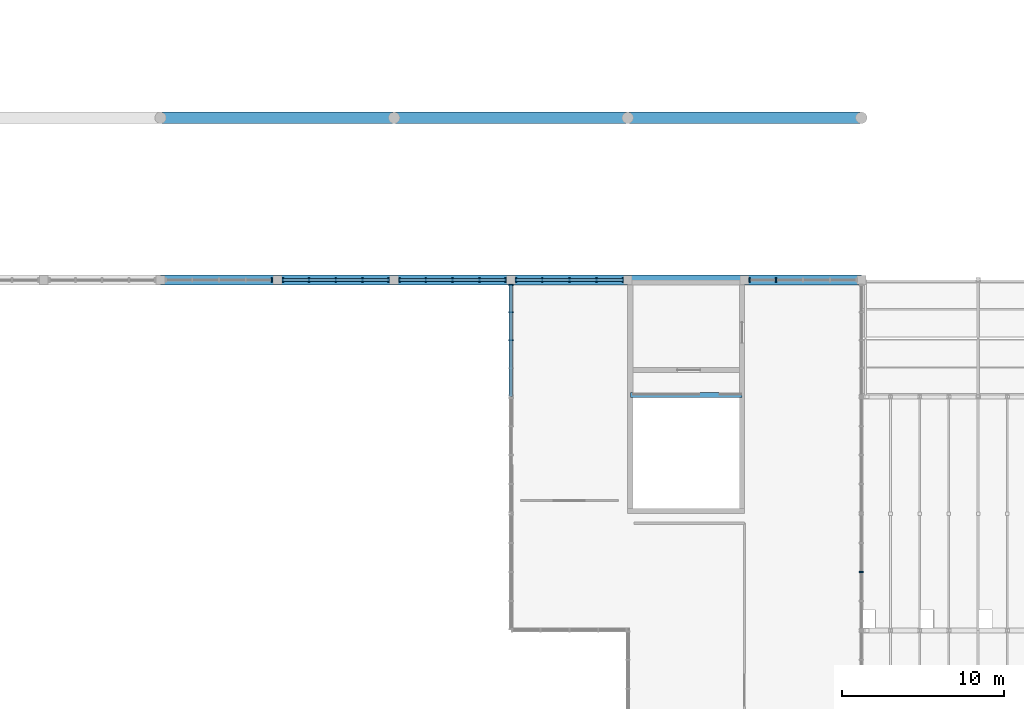
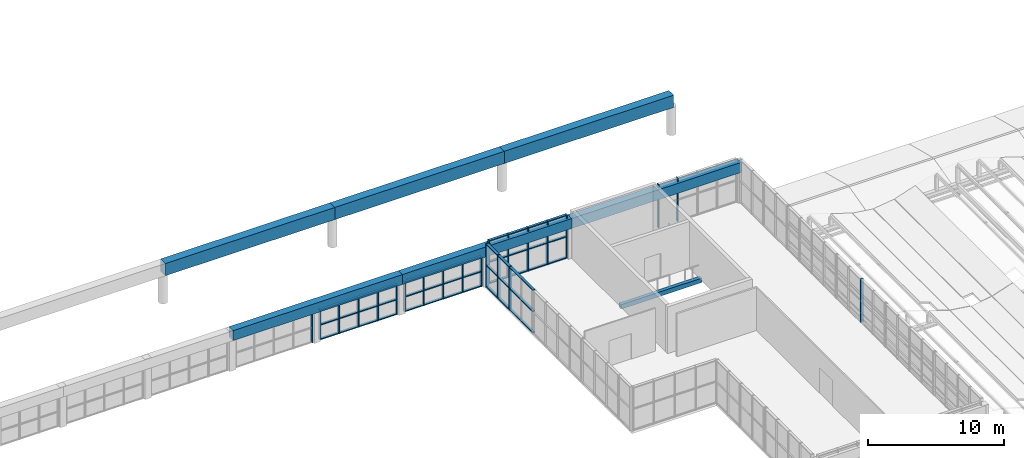
# One storey, part 17 of 83: 34 members, 7 beams, 7 elements without a shape of their own.
"""IFC4 building model written with IfcOpenShell, lengths in metres."""

from ifc_helpers import new_model, si_unit, direction, frame, origin, origin_2d, place, context, subcontext, project, spatial, rectangle, extrude, material, material_profile, profile_set, type_object, element, aggregate, save


model = new_model("IFC4")

# Units and contexts
model_context = context("Model", 3, precision=1e-05, world=origin(), true_north=direction((0.0, 1.0)))
body_context = subcontext(model_context, "Body", "Model", "MODEL_VIEW")
ifc_project = project(units=[si_unit("LENGTHUNIT", "METRE"), si_unit("AREAUNIT", "SQUARE_METRE"), si_unit("VOLUMEUNIT", "CUBIC_METRE"), si_unit("PLANEANGLEUNIT", "RADIAN"), si_unit("MASSUNIT", "GRAM", prefix="KILO")], contexts=[model_context])

# Site, building, storey
site_placement = place(None, origin())
site = spatial("IfcSite", under=ifc_project, at=site_placement, CompositionType="ELEMENT")
building_placement = place(site_placement, origin())
building = spatial("IfcBuilding", under=site, at=building_placement, Name="Leyfeld Transit Interchange", CompositionType="ELEMENT")
storey_placement = place(building_placement, frame((0.0, 0.0, 5.39990234375)))
storey = spatial("IfcBuildingStorey", under=building, at=storey_placement, Name="L01", CompositionType="ELEMENT", Elevation=5.39990234375)

# Beams
ifc_material_1 = material(Name="Concrete C40/50", Category="concrete")
ifc_material_profile_1 = material_profile(ifc_material_1, rectangle(XDim=0.699951171875, YDim=1.10009765625, at=origin_2d()), Name="RC 1100x700")
ifc_profile_set_1 = profile_set([ifc_material_profile_1], Name="Concrete C40/50")
beam_type_1 = type_object("IfcBeamType", Name="BM-RC-1100x700", PredefinedType="SPANDREL", material=ifc_profile_set_1)
for number, where, z_axis, x_axis, name in (
    (1, (57.60009765625, 60.39990234375, 3.050048828125), (1.0, 0.0, 0.0), (0.0, 1.0, 0.0), "Concourse Vault Edge Beam N Bay 5"),
    (2, (72.0, 60.39990234375, 3.050048828125), (1.0, 0.0, 0.0), (0.0, 1.0, 0.0), "Concourse Vault Edge Beam N Bay 6"),
):
    element("IfcBeam", number, at=place(storey_placement, frame(where, z_axis=z_axis, x_axis=x_axis)), inside=storey, type_object=beam_type_1, Name=name, PredefinedType="SPANDREL", context=body_context, shape_type="SweptSolid", body=[
        extrude(rectangle(XDim=0.699951171875, YDim=1.10009765625, at=origin_2d()), origin(), (0.0, 0.0, 1.0), 14.39990234375),
    ])
beam_1_placement = place(storey_placement, frame((86.39990234375, 60.39990234375, 3.050048828125), z_axis=(1.0, 0.0, 0.0), x_axis=(0.0, 1.0, 0.0)))
element("IfcBeam", 3, at=beam_1_placement, inside=storey, type_object=beam_type_1, Name="Concourse Vault Edge Beam N Bay 7", PredefinedType="SPANDREL", context=body_context, shape_type="SweptSolid", body=[
    extrude(rectangle(XDim=0.699951171875, YDim=1.10009765625, at=origin_2d()), origin(), (0.0, 0.0, 1.0), 14.400146484375),
])
ifc_material_2 = material(Name="Concrete C35/45", Category="concrete")
ifc_material_profile_2 = material_profile(ifc_material_2, rectangle(XDim=0.300048828125, YDim=0.39990234375, at=origin_2d()), Name="RC 400x300")
ifc_profile_set_2 = profile_set([ifc_material_profile_2], Name="Concrete C35/45")
beam_type_2 = type_object("IfcBeamType", Name="BM-RC-400x300", PredefinedType="LINTEL", material=ifc_profile_set_2)
beam_2_placement = place(storey_placement, frame((86.56005859375, 43.300048828125, -0.199951171875), z_axis=(1.0, 0.0, 0.0), x_axis=(0.0, 1.0, 0.0)))
element("IfcBeam", 4, at=beam_2_placement, inside=storey, type_object=beam_type_2, Name="Core K7 Floor Landing Corbel L01", PredefinedType="LINTEL", context=body_context, shape_type="SweptSolid", body=[
    extrude(rectangle(XDim=0.300048828125, YDim=0.39990234375, at=origin_2d()), origin(), (0.0, 0.0, 1.0), 6.8798828125),
])
ifc_material_profile_3 = material_profile(ifc_material_2, rectangle(XDim=0.60009765625, YDim=0.89990234375, at=origin_2d()), Name="RC 900x600")
ifc_profile_set_3 = profile_set([ifc_material_profile_3], Name="Concrete C35/45")
beam_type_3 = type_object("IfcBeamType", Name="BM-RC-900x600", PredefinedType="JOIST", material=ifc_profile_set_3)
for number, where, z_axis, x_axis, name in (
    (5, (57.60009765625, 50.39990234375, 3.150146484375), (1.0, 0.0, 0.0), (0.0, 1.0, 0.0), "Concourse Hall Flank Beam HN Bay 5"),
    (6, (72.0, 50.39990234375, 3.150146484375), (1.0, 0.0, 0.0), (0.0, 1.0, 0.0), "Concourse Hall Flank Beam HN Bay 6"),
):
    element("IfcBeam", number, at=place(storey_placement, frame(where, z_axis=z_axis, x_axis=x_axis)), inside=storey, type_object=beam_type_3, Name=name, PredefinedType="JOIST", context=body_context, shape_type="SweptSolid", body=[
        extrude(rectangle(XDim=0.60009765625, YDim=0.89990234375, at=origin_2d()), origin(), (0.0, 0.0, 1.0), 14.39990234375),
    ])
beam_3_placement = place(storey_placement, frame((86.39990234375, 50.39990234375, 3.150146484375), z_axis=(1.0, 0.0, 0.0), x_axis=(0.0, 1.0, 0.0)))
element("IfcBeam", 7, at=beam_3_placement, inside=storey, type_object=beam_type_3, Name="Concourse Hall Flank Beam HN Bay 7", PredefinedType="JOIST", context=body_context, shape_type="SweptSolid", body=[
    extrude(rectangle(XDim=0.60009765625, YDim=0.89990234375, at=origin_2d()), origin(), (0.0, 0.0, 1.0), 14.400146484375),
])

# Curtain wall, members
ifc_material_3 = material(Name="Anodised aluminium EN AW-6060 T66", Category="aluminium")
curtain_wall_type = type_object("IfcCurtainWallType", Name="CW-SYS-ARC-7200", PredefinedType="NOTDEFINED", material=ifc_material_3)
curtain_wall_1_placement = place(storey_placement, origin())
curtain_wall_1 = element("IfcCurtainWall", 8, at=curtain_wall_1_placement, inside=storey, type_object=curtain_wall_type, Name="Curtain Wall CW-L01-078", PredefinedType="NOTDEFINED")
ifc_material_profile_4 = material_profile(ifc_material_3, rectangle(XDim=0.0849609375, YDim=0.260009765625, at=origin_2d()), Name="CW-M 85x260")
ifc_profile_set_4 = profile_set([ifc_material_profile_4], Name="Anodised aluminium EN AW-6060 T66")
member_type_1 = type_object("IfcMemberType", Name="CW-MUL-220x80", PredefinedType="MULLION", material=ifc_profile_set_4)
member_1_placement = place(storey_placement, frame((79.199951171875, 46.6826171875, 0.0), z_axis=(0.0, 0.0, 1.0), x_axis=(0.0, 1.0, 0.0)))
member_1 = element("IfcMember", 9, at=member_1_placement, type_object=member_type_1, Name="Curtain Mullion CW-L01-078-M03", PredefinedType="MULLION", context=body_context, shape_type="SweptSolid", body=[
    extrude(rectangle(XDim=0.0849609375, YDim=0.260009765625, at=origin_2d()), origin(), (0.0, 0.0, 1.0), 3.900146484375),
])
member_2_placement = place(storey_placement, frame((79.199951171875, 48.40869140625, 0.0), z_axis=(0.0, 0.0, 1.0), x_axis=(0.0, 1.0, 0.0)))
member_2 = element("IfcMember", 10, at=member_2_placement, type_object=member_type_1, Name="Curtain Mullion CW-L01-078-M04", PredefinedType="MULLION", context=body_context, shape_type="SweptSolid", body=[
    extrude(rectangle(XDim=0.0849609375, YDim=0.260009765625, at=origin_2d()), origin(), (0.0, 0.0, 1.0), 3.900146484375),
])
member_3_placement = place(storey_placement, frame((79.199951171875, 50.092529296875, 0.0), z_axis=(0.0, 0.0, 1.0), x_axis=(0.0, 1.0, 0.0)))
member_3 = element("IfcMember", 11, at=member_3_placement, type_object=member_type_1, Name="Curtain Mullion CW-L01-078-M05", PredefinedType="MULLION", context=body_context, shape_type="SweptSolid", body=[
    extrude(rectangle(XDim=0.0849609375, YDim=0.260009765625, at=origin_2d()), origin(), (0.0, 0.0, 1.0), 3.900146484375),
])

curtain_wall_2_placement = place(storey_placement, origin())
curtain_wall_2 = element("IfcCurtainWall", 12, at=curtain_wall_2_placement, inside=storey, type_object=curtain_wall_type, Name="Curtain Wall CW-L01-079", PredefinedType="NOTDEFINED")
member_4_placement = place(storey_placement, frame((79.507568359375, 50.39990234375, 0.0), z_axis=(0.0, 0.0, 1.0), x_axis=(1.0, 0.0, 0.0)))
member_4 = element("IfcMember", 13, at=member_4_placement, type_object=member_type_1, Name="Curtain Mullion CW-L01-079-M01", PredefinedType="MULLION", context=body_context, shape_type="SweptSolid", body=[
    extrude(rectangle(XDim=0.0849609375, YDim=0.260009765625, at=origin_2d()), origin(), (0.0, 0.0, 1.0), 3.900146484375),
])
member_5_placement = place(storey_placement, frame((81.132568359375, 50.39990234375, 0.0), z_axis=(0.0, 0.0, 1.0), x_axis=(1.0, 0.0, 0.0)))
member_5 = element("IfcMember", 14, at=member_5_placement, type_object=member_type_1, Name="Curtain Mullion CW-L01-079-M02", PredefinedType="MULLION", context=body_context, shape_type="SweptSolid", body=[
    extrude(rectangle(XDim=0.0849609375, YDim=0.260009765625, at=origin_2d()), origin(), (0.0, 0.0, 1.0), 3.900146484375),
])
member_6_placement = place(storey_placement, frame((82.800048828125, 50.39990234375, 0.0), z_axis=(0.0, 0.0, 1.0), x_axis=(1.0, 0.0, 0.0)))
member_6 = element("IfcMember", 15, at=member_6_placement, type_object=member_type_1, Name="Curtain Mullion CW-L01-079-M03", PredefinedType="MULLION", context=body_context, shape_type="SweptSolid", body=[
    extrude(rectangle(XDim=0.0849609375, YDim=0.260009765625, at=origin_2d()), origin(), (0.0, 0.0, 1.0), 3.900146484375),
])
member_7_placement = place(storey_placement, frame((84.467529296875, 50.39990234375, 0.0), z_axis=(0.0, 0.0, 1.0), x_axis=(1.0, 0.0, 0.0)))
member_7 = element("IfcMember", 16, at=member_7_placement, type_object=member_type_1, Name="Curtain Mullion CW-L01-079-M04", PredefinedType="MULLION", context=body_context, shape_type="SweptSolid", body=[
    extrude(rectangle(XDim=0.0849609375, YDim=0.260009765625, at=origin_2d()), origin(), (0.0, 0.0, 1.0), 3.900146484375),
])
member_8_placement = place(storey_placement, frame((86.092529296875, 50.39990234375, 0.0), z_axis=(0.0, 0.0, 1.0), x_axis=(1.0, 0.0, 0.0)))
member_8 = element("IfcMember", 17, at=member_8_placement, type_object=member_type_1, Name="Curtain Mullion CW-L01-079-M05", PredefinedType="MULLION", context=body_context, shape_type="SweptSolid", body=[
    extrude(rectangle(XDim=0.0849609375, YDim=0.260009765625, at=origin_2d()), origin(), (0.0, 0.0, 1.0), 3.900146484375),
])

curtain_wall_3_placement = place(storey_placement, origin())
curtain_wall_3 = element("IfcCurtainWall", 18, at=curtain_wall_3_placement, inside=storey, type_object=curtain_wall_type, Name="Curtain Wall CW-L01-080", PredefinedType="NOTDEFINED")
member_9_placement = place(storey_placement, frame((93.907470703125, 50.39990234375, 0.0), z_axis=(0.0, 0.0, 1.0), x_axis=(1.0, 0.0, 0.0)))
member_9 = element("IfcMember", 19, at=member_9_placement, type_object=member_type_1, Name="Curtain Mullion CW-L01-080-M01", PredefinedType="MULLION", context=body_context, shape_type="SweptSolid", body=[
    extrude(rectangle(XDim=0.0849609375, YDim=0.260009765625, at=origin_2d()), origin(), (0.0, 0.0, 1.0), 3.900146484375),
])
member_10_placement = place(storey_placement, frame((95.532470703125, 50.39990234375, 0.0), z_axis=(0.0, 0.0, 1.0), x_axis=(1.0, 0.0, 0.0)))
member_10 = element("IfcMember", 20, at=member_10_placement, type_object=member_type_1, Name="Curtain Mullion CW-L01-080-M02", PredefinedType="MULLION", context=body_context, shape_type="SweptSolid", body=[
    extrude(rectangle(XDim=0.0849609375, YDim=0.260009765625, at=origin_2d()), origin(), (0.0, 0.0, 1.0), 3.900146484375),
])
aggregate(curtain_wall_3, [member_9, member_10])

# Curtain wall, member
curtain_wall_4_placement = place(storey_placement, origin())
curtain_wall_4 = element("IfcCurtainWall", 21, at=curtain_wall_4_placement, inside=storey, type_object=curtain_wall_type, Name="Curtain Wall CW-L01-083", PredefinedType="NOTDEFINED")
member_11_placement = place(storey_placement, frame((100.800048828125, 32.39990234375, 0.0), z_axis=(0.0, 0.0, 1.0), x_axis=(0.0, -1.0, 0.0)))
member_11 = element("IfcMember", 22, at=member_11_placement, type_object=member_type_1, Name="Curtain Mullion CW-L01-083-M03", PredefinedType="MULLION", context=body_context, shape_type="SweptSolid", body=[
    extrude(rectangle(XDim=0.0849609375, YDim=0.260009765625, at=origin_2d()), origin(), (0.0, 0.0, 1.0), 3.900146484375),
])
aggregate(curtain_wall_4, [member_11])

curtain_wall_5_placement = place(storey_placement, origin())
curtain_wall_5 = element("IfcCurtainWall", 23, at=curtain_wall_5_placement, inside=storey, type_object=curtain_wall_type, Name="Curtain Wall CW-L01-CLR-165", PredefinedType="NOTDEFINED")
member_12_placement = place(storey_placement, frame((64.45751953125, 50.39990234375, 0.0), z_axis=(0.0, 0.0, 1.0), x_axis=(-1.0, 0.0, 0.0)))
member_12 = element("IfcMember", 24, at=member_12_placement, type_object=member_type_1, Name="Curtain Mullion CW-L01-CLR-165-M01", PredefinedType="MULLION", context=body_context, shape_type="SweptSolid", body=[
    extrude(rectangle(XDim=0.0849609375, YDim=0.260009765625, at=origin_2d()), origin(), (0.0, 0.0, 1.0), 2.7001953125),
])
aggregate(curtain_wall_5, [member_12])

# Curtain wall, members
curtain_wall_6_placement = place(storey_placement, origin())
curtain_wall_6 = element("IfcCurtainWall", 25, at=curtain_wall_6_placement, inside=storey, type_object=curtain_wall_type, Name="Curtain Wall CW-L01-CLR-166", PredefinedType="NOTDEFINED")
member_13_placement = place(storey_placement, frame((71.657470703125, 50.39990234375, 0.0), z_axis=(0.0, 0.0, 1.0), x_axis=(-1.0, 0.0, 0.0)))
member_13 = element("IfcMember", 26, at=member_13_placement, type_object=member_type_1, Name="Curtain Mullion CW-L01-CLR-166-M01", PredefinedType="MULLION", context=body_context, shape_type="SweptSolid", body=[
    extrude(rectangle(XDim=0.0849609375, YDim=0.260009765625, at=origin_2d()), origin(), (0.0, 0.0, 1.0), 2.7001953125),
])
member_14_placement = place(storey_placement, frame((70.050048828125, 50.39990234375, 0.0), z_axis=(0.0, 0.0, 1.0), x_axis=(-1.0, 0.0, 0.0)))
member_14 = element("IfcMember", 27, at=member_14_placement, type_object=member_type_1, Name="Curtain Mullion CW-L01-CLR-166-M02", PredefinedType="MULLION", context=body_context, shape_type="SweptSolid", body=[
    extrude(rectangle(XDim=0.0849609375, YDim=0.260009765625, at=origin_2d()), origin(), (0.0, 0.0, 1.0), 2.7001953125),
])
member_15_placement = place(storey_placement, frame((68.39990234375, 50.39990234375, 0.0), z_axis=(0.0, 0.0, 1.0), x_axis=(-1.0, 0.0, 0.0)))
member_15 = element("IfcMember", 28, at=member_15_placement, type_object=member_type_1, Name="Curtain Mullion CW-L01-CLR-166-M03", PredefinedType="MULLION", context=body_context, shape_type="SweptSolid", body=[
    extrude(rectangle(XDim=0.0849609375, YDim=0.260009765625, at=origin_2d()), origin(), (0.0, 0.0, 1.0), 2.7001953125),
])
member_16_placement = place(storey_placement, frame((66.75, 50.39990234375, 0.0), z_axis=(0.0, 0.0, 1.0), x_axis=(-1.0, 0.0, 0.0)))
member_16 = element("IfcMember", 29, at=member_16_placement, type_object=member_type_1, Name="Curtain Mullion CW-L01-CLR-166-M04", PredefinedType="MULLION", context=body_context, shape_type="SweptSolid", body=[
    extrude(rectangle(XDim=0.0849609375, YDim=0.260009765625, at=origin_2d()), origin(), (0.0, 0.0, 1.0), 2.7001953125),
])
member_17_placement = place(storey_placement, frame((65.142578125, 50.39990234375, 0.0), z_axis=(0.0, 0.0, 1.0), x_axis=(-1.0, 0.0, 0.0)))
member_17 = element("IfcMember", 30, at=member_17_placement, type_object=member_type_1, Name="Curtain Mullion CW-L01-CLR-166-M05", PredefinedType="MULLION", context=body_context, shape_type="SweptSolid", body=[
    extrude(rectangle(XDim=0.0849609375, YDim=0.260009765625, at=origin_2d()), origin(), (0.0, 0.0, 1.0), 2.7001953125),
])

curtain_wall_7_placement = place(storey_placement, origin())
curtain_wall_7 = element("IfcCurtainWall", 31, at=curtain_wall_7_placement, inside=storey, type_object=curtain_wall_type, Name="Curtain Wall CW-L01-CLR-167", PredefinedType="NOTDEFINED")
member_18_placement = place(storey_placement, frame((78.857421875, 50.39990234375, 0.0), z_axis=(0.0, 0.0, 1.0), x_axis=(-1.0, 0.0, 0.0)))
member_18 = element("IfcMember", 32, at=member_18_placement, type_object=member_type_1, Name="Curtain Mullion CW-L01-CLR-167-M01", PredefinedType="MULLION", context=body_context, shape_type="SweptSolid", body=[
    extrude(rectangle(XDim=0.0849609375, YDim=0.260009765625, at=origin_2d()), origin(), (0.0, 0.0, 1.0), 2.7001953125),
])
member_19_placement = place(storey_placement, frame((77.25, 50.39990234375, 0.0), z_axis=(0.0, 0.0, 1.0), x_axis=(-1.0, 0.0, 0.0)))
member_19 = element("IfcMember", 33, at=member_19_placement, type_object=member_type_1, Name="Curtain Mullion CW-L01-CLR-167-M02", PredefinedType="MULLION", context=body_context, shape_type="SweptSolid", body=[
    extrude(rectangle(XDim=0.0849609375, YDim=0.260009765625, at=origin_2d()), origin(), (0.0, 0.0, 1.0), 2.7001953125),
])
member_20_placement = place(storey_placement, frame((75.60009765625, 50.39990234375, 0.0), z_axis=(0.0, 0.0, 1.0), x_axis=(-1.0, 0.0, 0.0)))
member_20 = element("IfcMember", 34, at=member_20_placement, type_object=member_type_1, Name="Curtain Mullion CW-L01-CLR-167-M03", PredefinedType="MULLION", context=body_context, shape_type="SweptSolid", body=[
    extrude(rectangle(XDim=0.0849609375, YDim=0.260009765625, at=origin_2d()), origin(), (0.0, 0.0, 1.0), 2.7001953125),
])
member_21_placement = place(storey_placement, frame((73.949951171875, 50.39990234375, 0.0), z_axis=(0.0, 0.0, 1.0), x_axis=(-1.0, 0.0, 0.0)))
member_21 = element("IfcMember", 35, at=member_21_placement, type_object=member_type_1, Name="Curtain Mullion CW-L01-CLR-167-M04", PredefinedType="MULLION", context=body_context, shape_type="SweptSolid", body=[
    extrude(rectangle(XDim=0.0849609375, YDim=0.260009765625, at=origin_2d()), origin(), (0.0, 0.0, 1.0), 2.7001953125),
])
member_22_placement = place(storey_placement, frame((72.342529296875, 50.39990234375, 0.0), z_axis=(0.0, 0.0, 1.0), x_axis=(-1.0, 0.0, 0.0)))
member_22 = element("IfcMember", 36, at=member_22_placement, type_object=member_type_1, Name="Curtain Mullion CW-L01-CLR-167-M05", PredefinedType="MULLION", context=body_context, shape_type="SweptSolid", body=[
    extrude(rectangle(XDim=0.0849609375, YDim=0.260009765625, at=origin_2d()), origin(), (0.0, 0.0, 1.0), 2.7001953125),
])

# Member
ifc_material_profile_5 = material_profile(ifc_material_3, rectangle(XDim=0.2099609375, YDim=0.0849609375, at=origin_2d()), Name="CW-TRN-200x80")
ifc_profile_set_5 = profile_set([ifc_material_profile_5], Name="Anodised aluminium EN AW-6060 T66")
member_type_2 = type_object("IfcMemberType", Name="CW-TRN-200x80", PredefinedType="USERDEFINED", material=ifc_profile_set_5)
member_23_placement = place(storey_placement, frame((79.199951171875, 43.22998046875, 0.04248046875), z_axis=(0.0, 1.0, 0.0), x_axis=(-1.0, 0.0, 0.0)))
member_23 = element("IfcMember", 37, at=member_23_placement, type_object=member_type_2, Name="Curtain Transom CW-L01-078-T01", ObjectType="TRANSOM", PredefinedType="USERDEFINED", context=body_context, shape_type="SweptSolid", body=[
    extrude(rectangle(XDim=0.2099609375, YDim=0.0849609375, at=origin_2d()), origin(), (0.0, 0.0, 1.0), 6.905029296875),
])

member_24_placement = place(storey_placement, frame((79.199951171875, 43.22998046875, 1.9501953125), z_axis=(0.0, 1.0, 0.0), x_axis=(-1.0, 0.0, 0.0)))
member_24 = element("IfcMember", 38, at=member_24_placement, type_object=member_type_2, Name="Curtain Transom CW-L01-078-T02", ObjectType="TRANSOM", PredefinedType="USERDEFINED", context=body_context, shape_type="SweptSolid", body=[
    extrude(rectangle(XDim=0.2099609375, YDim=0.0849609375, at=origin_2d()), origin(), (0.0, 0.0, 1.0), 6.905029296875),
])

member_25_placement = place(storey_placement, frame((79.199951171875, 43.22998046875, 3.857666015625), z_axis=(0.0, 1.0, 0.0), x_axis=(-1.0, 0.0, 0.0)))
member_25 = element("IfcMember", 39, at=member_25_placement, type_object=member_type_2, Name="Curtain Transom CW-L01-078-T03", ObjectType="TRANSOM", PredefinedType="USERDEFINED", context=body_context, shape_type="SweptSolid", body=[
    extrude(rectangle(XDim=0.2099609375, YDim=0.0849609375, at=origin_2d()), origin(), (0.0, 0.0, 1.0), 6.905029296875),
])

aggregate(curtain_wall_1, [member_1, member_2, member_3, member_23, member_24, member_25])

member_26_placement = place(storey_placement, frame((79.465087890625, 50.39990234375, 0.04248046875), z_axis=(1.0, 0.0, 0.0), x_axis=(0.0, 1.0, 0.0)))
member_26 = element("IfcMember", 40, at=member_26_placement, type_object=member_type_2, Name="Curtain Transom CW-L01-079-T01", ObjectType="TRANSOM", PredefinedType="USERDEFINED", context=body_context, shape_type="SweptSolid", body=[
    extrude(rectangle(XDim=0.2099609375, YDim=0.0849609375, at=origin_2d()), origin(), (0.0, 0.0, 1.0), 6.669921875),
])

member_27_placement = place(storey_placement, frame((79.465087890625, 50.39990234375, 1.9501953125), z_axis=(1.0, 0.0, 0.0), x_axis=(0.0, 1.0, 0.0)))
member_27 = element("IfcMember", 41, at=member_27_placement, type_object=member_type_2, Name="Curtain Transom CW-L01-079-T02", ObjectType="TRANSOM", PredefinedType="USERDEFINED", context=body_context, shape_type="SweptSolid", body=[
    extrude(rectangle(XDim=0.2099609375, YDim=0.0849609375, at=origin_2d()), origin(), (0.0, 0.0, 1.0), 6.669921875),
])

member_28_placement = place(storey_placement, frame((79.465087890625, 50.39990234375, 3.857666015625), z_axis=(1.0, 0.0, 0.0), x_axis=(0.0, 1.0, 0.0)))
member_28 = element("IfcMember", 42, at=member_28_placement, type_object=member_type_2, Name="Curtain Transom CW-L01-079-T03", ObjectType="TRANSOM", PredefinedType="USERDEFINED", context=body_context, shape_type="SweptSolid", body=[
    extrude(rectangle(XDim=0.2099609375, YDim=0.0849609375, at=origin_2d()), origin(), (0.0, 0.0, 1.0), 6.669921875),
])

aggregate(curtain_wall_2, [member_4, member_5, member_6, member_7, member_8, member_26, member_27, member_28])

member_29_placement = place(storey_placement, frame((71.699951171875, 50.39990234375, 0.04248046875), z_axis=(-1.0, 0.0, 0.0), x_axis=(0.0, -1.0, 0.0)))
member_29 = element("IfcMember", 43, at=member_29_placement, type_object=member_type_2, Name="Curtain Transom CW-L01-CLR-166-T01", ObjectType="TRANSOM", PredefinedType="USERDEFINED", context=body_context, shape_type="SweptSolid", body=[
    extrude(rectangle(XDim=0.2099609375, YDim=0.0849609375, at=origin_2d()), origin(), (0.0, 0.0, 1.0), 6.599853515625),
])

member_30_placement = place(storey_placement, frame((71.699951171875, 50.39990234375, 1.35009765625), z_axis=(-1.0, 0.0, 0.0), x_axis=(0.0, -1.0, 0.0)))
member_30 = element("IfcMember", 44, at=member_30_placement, type_object=member_type_2, Name="Curtain Transom CW-L01-CLR-166-T02", ObjectType="TRANSOM", PredefinedType="USERDEFINED", context=body_context, shape_type="SweptSolid", body=[
    extrude(rectangle(XDim=0.2099609375, YDim=0.0849609375, at=origin_2d()), origin(), (0.0, 0.0, 1.0), 6.599853515625),
])

member_31_placement = place(storey_placement, frame((71.699951171875, 50.39990234375, 2.65771484375), z_axis=(-1.0, 0.0, 0.0), x_axis=(0.0, -1.0, 0.0)))
member_31 = element("IfcMember", 45, at=member_31_placement, type_object=member_type_2, Name="Curtain Transom CW-L01-CLR-166-T03", ObjectType="TRANSOM", PredefinedType="USERDEFINED", context=body_context, shape_type="SweptSolid", body=[
    extrude(rectangle(XDim=0.2099609375, YDim=0.0849609375, at=origin_2d()), origin(), (0.0, 0.0, 1.0), 6.599853515625),
])

aggregate(curtain_wall_6, [member_13, member_14, member_15, member_16, member_17, member_29, member_30, member_31])

member_32_placement = place(storey_placement, frame((78.89990234375, 50.39990234375, 0.04248046875), z_axis=(-1.0, 0.0, 0.0), x_axis=(0.0, -1.0, 0.0)))
member_32 = element("IfcMember", 46, at=member_32_placement, type_object=member_type_2, Name="Curtain Transom CW-L01-CLR-167-T01", ObjectType="TRANSOM", PredefinedType="USERDEFINED", context=body_context, shape_type="SweptSolid", body=[
    extrude(rectangle(XDim=0.2099609375, YDim=0.0849609375, at=origin_2d()), origin(), (0.0, 0.0, 1.0), 6.599853515625),
])

member_33_placement = place(storey_placement, frame((78.89990234375, 50.39990234375, 1.35009765625), z_axis=(-1.0, 0.0, 0.0), x_axis=(0.0, -1.0, 0.0)))
member_33 = element("IfcMember", 47, at=member_33_placement, type_object=member_type_2, Name="Curtain Transom CW-L01-CLR-167-T02", ObjectType="TRANSOM", PredefinedType="USERDEFINED", context=body_context, shape_type="SweptSolid", body=[
    extrude(rectangle(XDim=0.2099609375, YDim=0.0849609375, at=origin_2d()), origin(), (0.0, 0.0, 1.0), 6.599853515625),
])

member_34_placement = place(storey_placement, frame((78.89990234375, 50.39990234375, 2.65771484375), z_axis=(-1.0, 0.0, 0.0), x_axis=(0.0, -1.0, 0.0)))
member_34 = element("IfcMember", 48, at=member_34_placement, type_object=member_type_2, Name="Curtain Transom CW-L01-CLR-167-T03", ObjectType="TRANSOM", PredefinedType="USERDEFINED", context=body_context, shape_type="SweptSolid", body=[
    extrude(rectangle(XDim=0.2099609375, YDim=0.0849609375, at=origin_2d()), origin(), (0.0, 0.0, 1.0), 6.599853515625),
])

aggregate(curtain_wall_7, [member_18, member_19, member_20, member_21, member_22, member_32, member_33, member_34])

save(model, "model.ifc")
